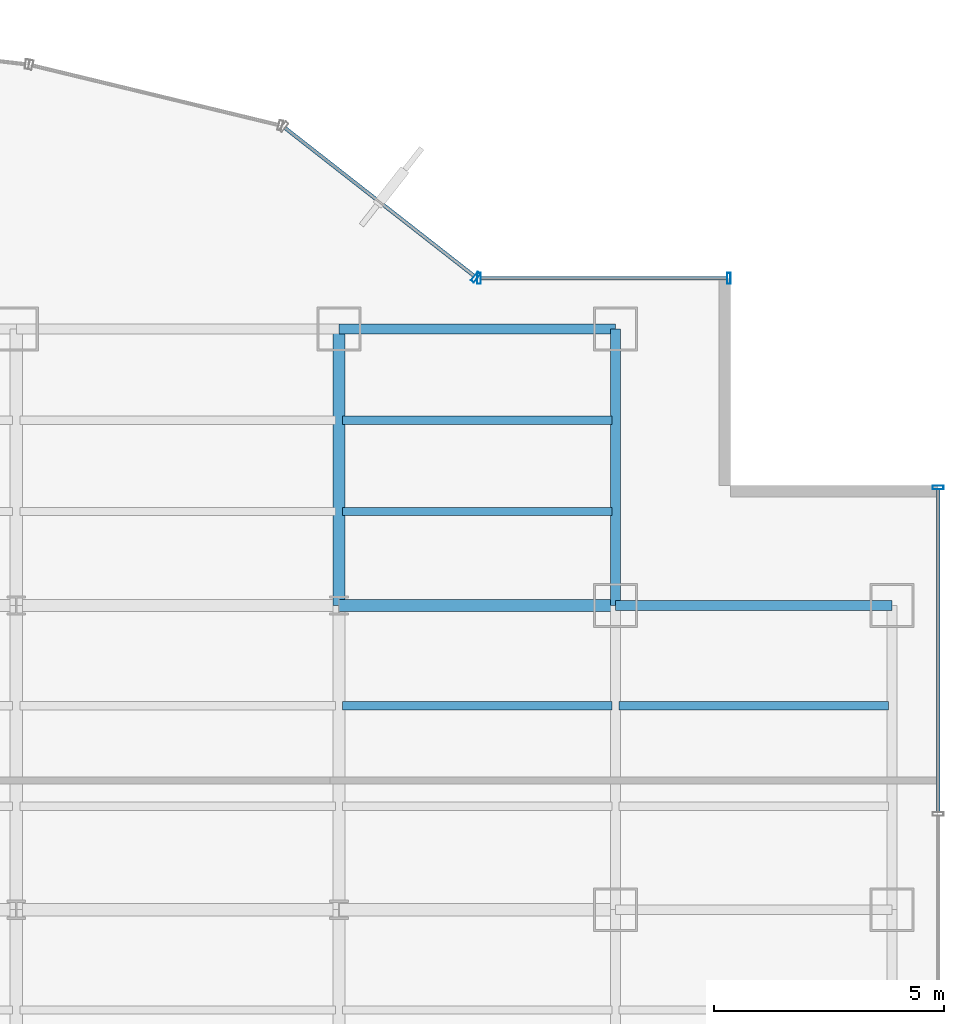
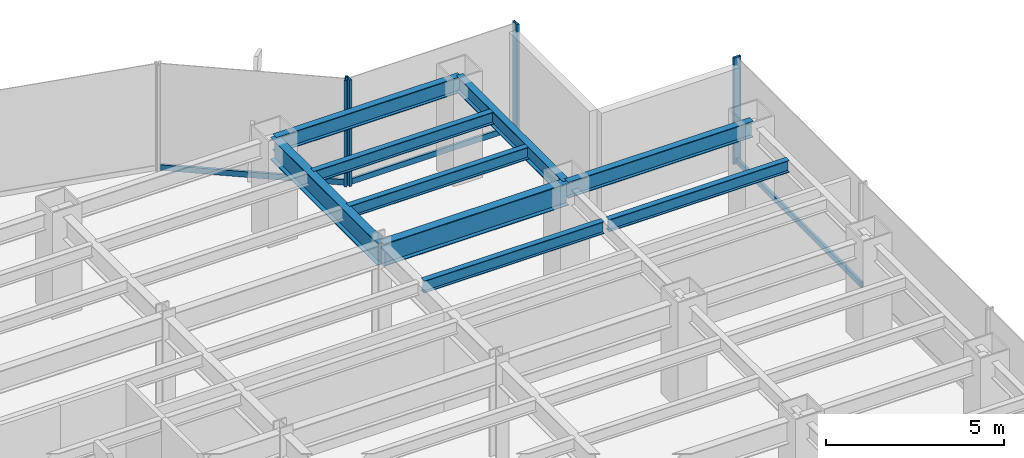
# One storey, part 16 of 23: 9 beams, 7 members, 3 elements without a shape of their own.
"""IFC4 building model written with IfcOpenShell, lengths in metres."""

from ifc_helpers import new_model, si_unit, derived_unit, direction, frame, origin, origin_2d, place, context, subcontext, project, spatial, hollow_rectangle, i_section, extrude, source, transform, mapped, material, material_profile, profile_set, type_object, element, aggregate, save


model = new_model("IFC4")

# Units and contexts
model_context = context("Model", 3, precision=1e-05, world=origin(), true_north=direction((0.0, 1.0)))
body_context = subcontext(model_context, "Body", "Model", "MODEL_VIEW")
ifc_project = project(units=[si_unit("LENGTHUNIT", "METRE"), si_unit("AREAUNIT", "SQUARE_METRE"), si_unit("VOLUMEUNIT", "CUBIC_METRE"), si_unit("PLANEANGLEUNIT", "RADIAN"), si_unit("MASSUNIT", "GRAM", prefix="KILO"), derived_unit("THERMALTRANSMITTANCEUNIT", [(si_unit("POWERUNIT", "WATT"), 1), (si_unit("LENGTHUNIT", "METRE"), -2), (si_unit("THERMODYNAMICTEMPERATUREUNIT", "KELVIN"), -1)])], contexts=[model_context])

# Site, building, storey
site_placement = place(None, origin())
site = spatial("IfcSite", under=ifc_project, at=site_placement, CompositionType="ELEMENT")
building_placement = place(site_placement, origin())
building = spatial("IfcBuilding", under=site, at=building_placement, Name="Skarnbrae Concourse Arena and Tower", CompositionType="ELEMENT")
storey_placement = place(building_placement, frame((0.0, 0.0, 47.10009765625)))
storey = spatial("IfcBuildingStorey", under=building, at=storey_placement, Name="L10", CompositionType="ELEMENT", Elevation=47.10009765625)

# Beams
ifc_material_1 = material(Name="Steel CSA G40.21 350W", Category="steel")
ifc_material_profile_1 = material_profile(ifc_material_1, i_section(OverallWidth=0.214111328125, OverallDepth=0.549072265625, WebThickness=0.0146484375, FlangeThickness=0.023681640625, at=origin_2d()), Name="W530X138")
ifc_profile_set_1 = profile_set([ifc_material_profile_1], Name="Steel CSA G40.21 350W")
beam_type_1 = type_object("IfcBeamType", Name="BM-SPAN-W530X138", PredefinedType="SPANDREL", material=ifc_profile_set_1)
shared_shape_1 = source(origin(), body_context, "Body", "SweptSolid", [
    extrude(i_section(OverallWidth=0.214111328125, OverallDepth=0.549072265625, WebThickness=0.0146484375, FlangeThickness=0.023681640625, at=origin_2d()), origin(), (0.0, 0.0, 1.0), 6.0),
])
for number, where, z_axis, x_axis, name in (
    (1, (55.0, 34.39990234375, 3.12548828125), (1.0, 0.0, 0.0), (0.0, 1.0, 0.0), "L10 Perimeter spandrel Y34.4-9"),
    (2, (49.0, 40.39990234375, 3.12548828125), (1.0, 0.0, 0.0), (0.0, 1.0, 0.0), "L10 Perimeter spandrel Y40.4-7"),
    (3, (55.0, 34.39990234375, 3.12548828125), (0.0, 1.0, 0.0), (-1.0, 0.0, 0.0), "L10 Perimeter spandrel X55.0-5"),
):
    element("IfcBeam", number, at=place(storey_placement, frame(where, z_axis=z_axis, x_axis=x_axis)), inside=storey, type_object=beam_type_1, Name=name, PredefinedType="SPANDREL", context=body_context, shape_type="MappedRepresentation", body=[
        mapped(shared_shape_1, transform((0.0, 0.0, 0.0))),
    ])
ifc_material_profile_2 = material_profile(ifc_material_1, i_section(OverallWidth=0.26806640625, OverallDepth=0.77001953125, WebThickness=0.015625, FlangeThickness=0.025390625, at=origin_2d()), Name="W760X196")
ifc_profile_set_2 = profile_set([ifc_material_profile_2], Name="Steel CSA G40.21 350W")
beam_type_2 = type_object("IfcBeamType", Name="BM-GIRD-W760X196", PredefinedType="BEAM", material=ifc_profile_set_2)
shared_shape_2 = source(origin(), body_context, "Body", "SweptSolid", [
    extrude(i_section(OverallWidth=0.26806640625, OverallDepth=0.77001953125, WebThickness=0.015625, FlangeThickness=0.025390625, at=origin_2d()), origin(), (0.0, 0.0, 1.0), 6.0),
])
for number, where, z_axis, x_axis, name in (
    (4, (49.0, 34.39990234375, 3.014892578125), (1.0, 0.0, 0.0), (0.0, 1.0, 0.0), "L10 Primary E-W girder Y34.4-8"),
    (5, (49.0, 34.39990234375, 3.014892578125), (0.0, 1.0, 0.0), (-1.0, 0.0, 0.0), "L10 Primary N-S girder X49.0-5"),
):
    element("IfcBeam", number, at=place(storey_placement, frame(where, z_axis=z_axis, x_axis=x_axis)), inside=storey, type_object=beam_type_2, Name=name, PredefinedType="BEAM", context=body_context, shape_type="MappedRepresentation", body=[
        mapped(shared_shape_2, transform((0.0, 0.0, 0.0))),
    ])
ifc_material_profile_3 = material_profile(ifc_material_1, i_section(OverallWidth=0.180908203125, OverallDepth=0.4169921875, WebThickness=0.010986328125, FlangeThickness=0.018310546875, at=origin_2d()), Name="W410X85")
ifc_profile_set_3 = profile_set([ifc_material_profile_3], Name="Steel CSA G40.21 350W")
beam_type_3 = type_object("IfcBeamType", Name="BM-JOIST-W410X85", PredefinedType="JOIST", material=ifc_profile_set_3)
shared_shape_3 = source(origin(), body_context, "Body", "SweptSolid", [
    extrude(i_section(OverallWidth=0.180908203125, OverallDepth=0.4169921875, WebThickness=0.010986328125, FlangeThickness=0.018310546875, at=origin_2d()), origin(), (0.0, 0.0, 1.0), 5.83984375),
])
for number, where, z_axis, x_axis, name in (
    (6, (49.080078125, 32.221923828125, 3.19140625), (1.0, 0.0, 0.0), (0.0, 1.0, 0.0), "L10 Secondary floor joist 3.2.8"),
    (7, (55.080078125, 32.221923828125, 3.19140625), (1.0, 0.0, 0.0), (0.0, 1.0, 0.0), "L10 Secondary floor joist 3.2.9"),
    (8, (49.080078125, 36.43994140625, 3.19140625), (1.0, 0.0, 0.0), (0.0, 1.0, 0.0), "L10 Secondary floor joist 4.1.7"),
    (9, (49.080078125, 38.419921875, 3.19140625), (1.0, 0.0, 0.0), (0.0, 1.0, 0.0), "L10 Secondary floor joist 4.2.7"),
):
    element("IfcBeam", number, at=place(storey_placement, frame(where, z_axis=z_axis, x_axis=x_axis)), inside=storey, type_object=beam_type_3, Name=name, PredefinedType="JOIST", context=body_context, shape_type="MappedRepresentation", body=[
        mapped(shared_shape_3, transform((0.0, 0.0, 0.0))),
    ])

# Curtain wall, member
ifc_material_2 = material(Name="Bronze anodised aluminium 6063-T6", Category="aluminium")
curtain_wall_type = type_object("IfcCurtainWallType", Name="CW-SYS-02-LOWZONE", PredefinedType="USERDEFINED", material=ifc_material_2)
curtain_wall_1_placement = place(storey_placement, origin())
curtain_wall_1 = element("IfcCurtainWall", 10, at=curtain_wall_1_placement, inside=storey, type_object=curtain_wall_type, Name="L10 Unitised curtain wall CW-L10-E04", ObjectType="UNITISED CURTAIN WALL", PredefinedType="USERDEFINED")
ifc_material_profile_4 = material_profile(ifc_material_2, hollow_rectangle(XDim=0.080078125, YDim=0.239990234375, WallThickness=0.0048828125, at=origin_2d()), Name="ALU-MULL-80X240")
ifc_profile_set_4 = profile_set([ifc_material_profile_4], Name="Bronze anodised aluminium 6063-T6")
member_type_1 = type_object("IfcMemberType", Name="CWM-CW-02", PredefinedType="MULLION", material=ifc_profile_set_4)
shared_shape_4 = source(origin(), body_context, "Body", "SweptSolid", [
    extrude(hollow_rectangle(XDim=0.080078125, YDim=0.239990234375, WallThickness=0.0048828125, at=origin_2d()), origin(), (0.0, 0.0, 1.0), 3.64990234375),
])
member_1_placement = place(storey_placement, frame((62.0, 36.9599609375, 0.0), z_axis=(0.0, 0.0, 1.0), x_axis=(0.0, 1.0, 0.0)))
member_1 = element("IfcMember", 11, at=member_1_placement, type_object=member_type_1, Name="CW-L10-E04 Mullion 5", PredefinedType="MULLION", context=body_context, shape_type="MappedRepresentation", body=[
    mapped(shared_shape_4, transform((0.0, 0.0, 0.0))),
])

# Curtain wall, members
curtain_wall_2_placement = place(storey_placement, origin())
curtain_wall_2 = element("IfcCurtainWall", 12, at=curtain_wall_2_placement, inside=storey, type_object=curtain_wall_type, Name="L10 Unitised curtain wall CW-L10-E07", ObjectType="UNITISED CURTAIN WALL", PredefinedType="USERDEFINED")
member_2_placement = place(storey_placement, frame((57.4599609375, 41.5, 0.0), z_axis=(0.0, 0.0, 1.0), x_axis=(-1.0, 0.0, 0.0)))
member_2 = element("IfcMember", 13, at=member_2_placement, type_object=member_type_1, Name="CW-L10-E07 Mullion 1", PredefinedType="MULLION", context=body_context, shape_type="MappedRepresentation", body=[
    mapped(shared_shape_4, transform((0.0, 0.0, 0.0))),
])
member_3_placement = place(storey_placement, frame((52.0400390625, 41.5, 0.0), z_axis=(0.0, 0.0, 1.0), x_axis=(-1.0, 0.0, 0.0)))
member_3 = element("IfcMember", 14, at=member_3_placement, type_object=member_type_1, Name="CW-L10-E07 Mullion 2", PredefinedType="MULLION", context=body_context, shape_type="MappedRepresentation", body=[
    mapped(shared_shape_4, transform((0.0, 0.0, 0.0))),
])

# Curtain wall, member
curtain_wall_3_placement = place(storey_placement, origin())
curtain_wall_3 = element("IfcCurtainWall", 15, at=curtain_wall_3_placement, inside=storey, type_object=curtain_wall_type, Name="L10 Unitised curtain wall CW-L10-E08", ObjectType="UNITISED CURTAIN WALL", PredefinedType="USERDEFINED")
member_4_placement = place(storey_placement, frame((51.968505859375, 41.524658203125, 0.0), z_axis=(0.0, 0.0, 1.0), x_axis=(-0.787651726054, 0.616120733658, 0.0)))
member_4 = element("IfcMember", 16, at=member_4_placement, type_object=member_type_1, Name="CW-L10-E08 Mullion 1", PredefinedType="MULLION", context=body_context, shape_type="MappedRepresentation", body=[
    mapped(shared_shape_4, transform((0.0, 0.0, 0.0))),
])

# Member
ifc_material_profile_5 = material_profile(ifc_material_2, hollow_rectangle(XDim=0.080078125, YDim=0.18994140625, WallThickness=0.0048828125, at=origin_2d()), Name="ALU-TRAN-80X190")
ifc_profile_set_5 = profile_set([ifc_material_profile_5], Name="Bronze anodised aluminium 6063-T6")
member_type_2 = type_object("IfcMemberType", Name="CWT-CW-02", PredefinedType="USERDEFINED", material=ifc_profile_set_5)
shared_shape_5 = source(origin(), body_context, "Body", "SweptSolid", [
    extrude(hollow_rectangle(XDim=0.080078125, YDim=0.18994140625, WallThickness=0.0048828125, at=origin_2d()), origin(), (0.0, 0.0, 1.0), 7.0048828125),
])
member_5_placement = place(storey_placement, frame((62.0, 29.9150390625, 0.094970703125), z_axis=(0.0, 1.0, 0.0), x_axis=(-1.0, 0.0, 0.0)))
member_5 = element("IfcMember", 17, at=member_5_placement, type_object=member_type_2, Name="CW-L10-E04 Transom 4", ObjectType="TRANSOM", PredefinedType="USERDEFINED", context=body_context, shape_type="MappedRepresentation", body=[
    mapped(shared_shape_5, transform((0.0, 0.0, 0.0))),
])

aggregate(curtain_wall_1, [member_1, member_5])

shared_shape_6 = source(origin(), body_context, "Body", "SweptSolid", [
    extrude(hollow_rectangle(XDim=0.080078125, YDim=0.18994140625, WallThickness=0.0048828125, at=origin_2d()), origin(), (0.0, 0.0, 1.0), 5.33984375),
])
member_6_placement = place(storey_placement, frame((57.419921875, 41.5, 0.094970703125), z_axis=(-1.0, 0.0, 0.0), x_axis=(0.0, -1.0, 0.0)))
member_6 = element("IfcMember", 18, at=member_6_placement, type_object=member_type_2, Name="CW-L10-E07 Transom 1", ObjectType="TRANSOM", PredefinedType="USERDEFINED", context=body_context, shape_type="MappedRepresentation", body=[
    mapped(shared_shape_6, transform((0.0, 0.0, 0.0))),
])

aggregate(curtain_wall_2, [member_2, member_3, member_6])

shared_shape_7 = source(origin(), body_context, "Body", "SweptSolid", [
    extrude(hollow_rectangle(XDim=0.080078125, YDim=0.18994140625, WallThickness=0.0048828125, at=origin_2d()), origin(), (0.0, 0.0, 1.0), 5.215087890625),
])
member_7_placement = place(storey_placement, frame((51.93701171875, 41.54931640625, 0.094970703125), z_axis=(-0.787650196702, 0.616122688784, 0.0), x_axis=(-0.616122688784, -0.787650196702, 0.0)))
member_7 = element("IfcMember", 19, at=member_7_placement, type_object=member_type_2, Name="CW-L10-E08 Transom 1", ObjectType="TRANSOM", PredefinedType="USERDEFINED", context=body_context, shape_type="MappedRepresentation", body=[
    mapped(shared_shape_7, transform((0.0, 0.0, 0.0))),
])

aggregate(curtain_wall_3, [member_4, member_7])

save(model, "model.ifc")
